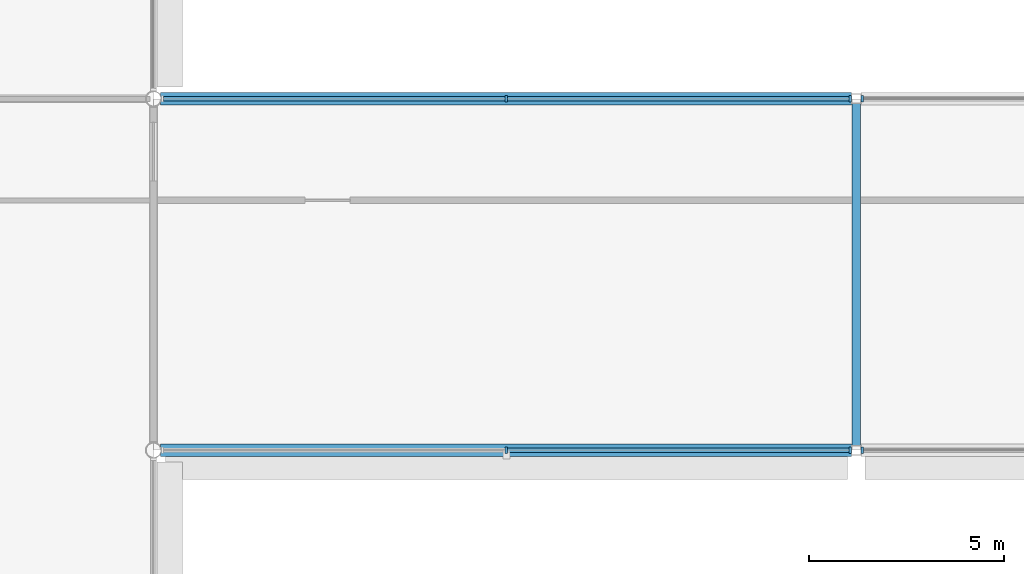
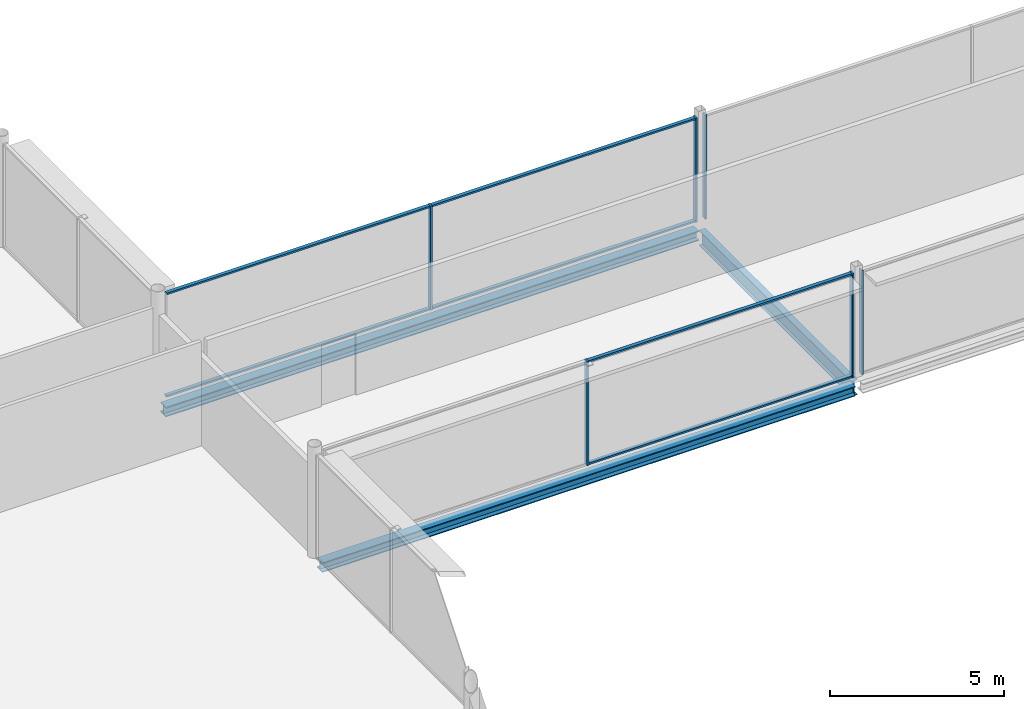
# One storey, part 32 of 96: 12 members, 3 beams, 4 elements without a shape of their own.
"""IFC4 building model written with IfcOpenShell, lengths in metres."""

from ifc_helpers import new_model, si_unit, direction, frame, origin, origin_2d, place, context, subcontext, project, spatial, rectangle, i_section, extrude, material, layer, layer_set, material_profile, profile_set, type_object, element, aggregate, save


model = new_model("IFC4")

# Units and contexts
model_context = context("Model", 3, precision=1e-05, world=origin(), true_north=direction((0.0, 1.0)))
body_context = subcontext(model_context, "Body", "Model", "MODEL_VIEW")
ifc_project = project(units=[si_unit("LENGTHUNIT", "METRE"), si_unit("AREAUNIT", "SQUARE_METRE"), si_unit("VOLUMEUNIT", "CUBIC_METRE"), si_unit("PLANEANGLEUNIT", "RADIAN"), si_unit("MASSUNIT", "GRAM", prefix="KILO")], contexts=[model_context])

# Site, building, storey
site_placement = place(None, origin())
site = spatial("IfcSite", under=ifc_project, at=site_placement, CompositionType="ELEMENT")
building_placement = place(site_placement, origin())
building = spatial("IfcBuilding", under=site, at=building_placement, Name="Kisiwana Market Hall", CompositionType="ELEMENT")
storey_placement = place(building_placement, frame((0.0, 0.0, 25.5)))
storey = spatial("IfcBuildingStorey", under=building, at=storey_placement, Name="L05", CompositionType="ELEMENT", Elevation=25.5)

# Beams
ifc_material_1 = material(Name="Steel S355", Category="steel")
ifc_material_profile_1 = material_profile(ifc_material_1, i_section(OverallWidth=0.209228515625, OverallDepth=0.533203125, WebThickness=0.010009765625, FlangeThickness=0.015625, at=origin_2d()), Name="UB 533x210x92")
ifc_profile_set_1 = profile_set([ifc_material_profile_1], Name="Steel S355")
beam_type_1 = type_object("IfcBeamType", Name="BM-GIRD-UB533", PredefinedType="BEAM", material=ifc_profile_set_1)
beam_placement = place(storey_placement, frame((63.0, 93.12109375, -0.531494140625), z_axis=(0.0, 1.0, 0.0), x_axis=(-1.0, 0.0, 0.0)))
element("IfcBeam", 1, at=beam_placement, inside=storey, type_object=beam_type_1, Name="Primary girder B-1540", PredefinedType="BEAM", context=body_context, shape_type="SweptSolid", body=[
    extrude(i_section(OverallWidth=0.209228515625, OverallDepth=0.533203125, WebThickness=0.010009765625, FlangeThickness=0.015625, at=origin_2d()), origin(), (0.0, 0.0, 1.0), 8.7578125),
])
ifc_material_2 = material(Name="Steel S355", Category="steel")
ifc_material_profile_2 = material_profile(ifc_material_2, i_section(OverallWidth=0.314453125, OverallDepth=0.33984375, WebThickness=0.01904296875, FlangeThickness=0.031494140625, at=origin_2d()), Name="UC 305x305x198")
ifc_profile_set_2 = profile_set([ifc_material_profile_2], Name="Steel S355")
beam_type_2 = type_object("IfcBeamType", Name="BM-SKYBR-CHORD", PredefinedType="BEAM", material=ifc_profile_set_2)
for number, where, z_axis, x_axis, name in (
    (2, (45.182373046875, 93.0, -0.43505859375), (1.0, 0.0, 0.0), (0.0, 1.0, 0.0), "Floor beam B-1641"),
    (3, (45.182373046875, 102.0, -0.43505859375), (1.0, 0.0, 0.0), (0.0, 1.0, 0.0), "Floor beam B-1651"),
):
    element("IfcBeam", number, at=place(storey_placement, frame(where, z_axis=z_axis, x_axis=x_axis)), inside=storey, type_object=beam_type_2, Name=name, PredefinedType="BEAM", context=body_context, shape_type="SweptSolid", body=[
        extrude(i_section(OverallWidth=0.314453125, OverallDepth=0.33984375, WebThickness=0.01904296875, FlangeThickness=0.031494140625, at=origin_2d()), origin(), (0.0, 0.0, 1.0), 17.696533203125),
    ])

# Curtain wall, members
ifc_material_3 = material(Name="Double-glazed solar-control low-E IGU", Category="glass")
ifc_layer = layer(ifc_material_3, 0.159912109375)
ifc_layer_set = layer_set([ifc_layer], Name="CW-ZNA-EW-8200")
curtain_wall_type = type_object("IfcCurtainWallType", Name="CW-ZNA-EW-8200", PredefinedType="USERDEFINED", material=ifc_layer_set)
curtain_wall_1_placement = place(storey_placement, origin())
curtain_wall_1 = element("IfcCurtainWall", 4, at=curtain_wall_1_placement, inside=storey, type_object=curtain_wall_type, Name="Unitised curtain wall CW-144 (L05)", ObjectType="UNITISED CURTAIN WALL", PredefinedType="USERDEFINED")
ifc_material_4 = material(Name="Aluminium alloy 6063-T6", Category="aluminium")
ifc_material_profile_3 = material_profile(ifc_material_4, rectangle(XDim=0.06005859375, YDim=0.159912109375, at=origin_2d()), Name="ALU MULLION 60x160")
ifc_profile_set_3 = profile_set([ifc_material_profile_3], Name="Aluminium alloy 6063-T6")
member_type_1 = type_object("IfcMemberType", Name="CW-MULL-60x160", PredefinedType="MULLION", material=ifc_profile_set_3)
member_1_placement = place(storey_placement, frame((54.0390625, 93.0, 0.0), z_axis=(0.0, 0.0, 1.0), x_axis=(1.0, 0.0, 0.0)))
member_1 = element("IfcMember", 5, at=member_1_placement, type_object=member_type_1, Name="CW-144 mullion 2", PredefinedType="MULLION", context=body_context, shape_type="SweptSolid", body=[
    extrude(rectangle(XDim=0.06005859375, YDim=0.159912109375, at=origin_2d()), origin(), (0.0, 0.0, 1.0), 3.655029296875),
])
member_2_placement = place(storey_placement, frame((62.844970703125, 93.0, 0.0), z_axis=(0.0, 0.0, 1.0), x_axis=(1.0, 0.0, 0.0)))
member_2 = element("IfcMember", 6, at=member_2_placement, type_object=member_type_1, Name="CW-144 mullion 3", PredefinedType="MULLION", context=body_context, shape_type="SweptSolid", body=[
    extrude(rectangle(XDim=0.06005859375, YDim=0.159912109375, at=origin_2d()), origin(), (0.0, 0.0, 1.0), 3.655029296875),
])

# Curtain wall, member
curtain_wall_2_placement = place(storey_placement, origin())
curtain_wall_2 = element("IfcCurtainWall", 7, at=curtain_wall_2_placement, inside=storey, type_object=curtain_wall_type, Name="Unitised curtain wall CW-145 (L05)", ObjectType="UNITISED CURTAIN WALL", PredefinedType="USERDEFINED")
member_3_placement = place(storey_placement, frame((63.155029296875, 93.0, 0.0), z_axis=(0.0, 0.0, 1.0), x_axis=(1.0, 0.0, 0.0)))
member_3 = element("IfcMember", 8, at=member_3_placement, type_object=member_type_1, Name="CW-145 mullion 1", PredefinedType="MULLION", context=body_context, shape_type="SweptSolid", body=[
    extrude(rectangle(XDim=0.06005859375, YDim=0.159912109375, at=origin_2d()), origin(), (0.0, 0.0, 1.0), 3.655029296875),
])
aggregate(curtain_wall_2, [member_3])

# Curtain wall, members
curtain_wall_3_placement = place(storey_placement, origin())
curtain_wall_3 = element("IfcCurtainWall", 9, at=curtain_wall_3_placement, inside=storey, type_object=curtain_wall_type, Name="Unitised curtain wall CW-150 (L05)", ObjectType="UNITISED CURTAIN WALL", PredefinedType="USERDEFINED")
member_4_placement = place(storey_placement, frame((54.0390625, 102.0, 0.0), z_axis=(0.0, 0.0, 1.0), x_axis=(1.0, 0.0, 0.0)))
member_4 = element("IfcMember", 10, at=member_4_placement, type_object=member_type_1, Name="CW-150 mullion 2", PredefinedType="MULLION", context=body_context, shape_type="SweptSolid", body=[
    extrude(rectangle(XDim=0.06005859375, YDim=0.159912109375, at=origin_2d()), origin(), (0.0, 0.0, 1.0), 3.655029296875),
])
member_5_placement = place(storey_placement, frame((62.844970703125, 102.0, 0.0), z_axis=(0.0, 0.0, 1.0), x_axis=(1.0, 0.0, 0.0)))
member_5 = element("IfcMember", 11, at=member_5_placement, type_object=member_type_1, Name="CW-150 mullion 3", PredefinedType="MULLION", context=body_context, shape_type="SweptSolid", body=[
    extrude(rectangle(XDim=0.06005859375, YDim=0.159912109375, at=origin_2d()), origin(), (0.0, 0.0, 1.0), 3.655029296875),
])

# Curtain wall, member
curtain_wall_4_placement = place(storey_placement, origin())
curtain_wall_4 = element("IfcCurtainWall", 12, at=curtain_wall_4_placement, inside=storey, type_object=curtain_wall_type, Name="Unitised curtain wall CW-151 (L05)", ObjectType="UNITISED CURTAIN WALL", PredefinedType="USERDEFINED")
member_6_placement = place(storey_placement, frame((63.155029296875, 102.0, 0.0), z_axis=(0.0, 0.0, 1.0), x_axis=(1.0, 0.0, 0.0)))
member_6 = element("IfcMember", 13, at=member_6_placement, type_object=member_type_1, Name="CW-151 mullion 1", PredefinedType="MULLION", context=body_context, shape_type="SweptSolid", body=[
    extrude(rectangle(XDim=0.06005859375, YDim=0.159912109375, at=origin_2d()), origin(), (0.0, 0.0, 1.0), 3.655029296875),
])
aggregate(curtain_wall_4, [member_6])

# Member
ifc_material_5 = material(Name="Aluminium alloy 6063-T6", Category="aluminium")
ifc_material_profile_4 = material_profile(ifc_material_5, rectangle(XDim=0.1201171875, YDim=0.06005859375, at=origin_2d()), Name="ALU TRANSOM 60x120")
ifc_profile_set_4 = profile_set([ifc_material_profile_4], Name="Aluminium alloy 6063-T6")
member_type_2 = type_object("IfcMemberType", Name="CW-TRAN-60x120", PredefinedType="USERDEFINED", material=ifc_profile_set_4)
member_7_placement = place(storey_placement, frame((54.069091796875, 93.0, 0.030029296875), z_axis=(1.0, 0.0, 0.0), x_axis=(0.0, 1.0, 0.0)))
member_7 = element("IfcMember", 14, at=member_7_placement, type_object=member_type_2, Name="CW-144 transom 2.1", ObjectType="TRANSOM", PredefinedType="USERDEFINED", context=body_context, shape_type="SweptSolid", body=[
    extrude(rectangle(XDim=0.1201171875, YDim=0.06005859375, at=origin_2d()), origin(), (0.0, 0.0, 1.0), 8.745849609375),
])

member_8_placement = place(storey_placement, frame((54.069091796875, 93.0, 3.625), z_axis=(1.0, 0.0, 0.0), x_axis=(0.0, 1.0, 0.0)))
member_8 = element("IfcMember", 15, at=member_8_placement, type_object=member_type_2, Name="CW-144 transom 2.2", ObjectType="TRANSOM", PredefinedType="USERDEFINED", context=body_context, shape_type="SweptSolid", body=[
    extrude(rectangle(XDim=0.1201171875, YDim=0.06005859375, at=origin_2d()), origin(), (0.0, 0.0, 1.0), 8.745849609375),
])

aggregate(curtain_wall_1, [member_1, member_2, member_7, member_8])

member_9_placement = place(storey_placement, frame((45.26318359375, 102.0, 0.030029296875), z_axis=(1.0, 0.0, 0.0), x_axis=(0.0, 1.0, 0.0)))
member_9 = element("IfcMember", 16, at=member_9_placement, type_object=member_type_2, Name="CW-150 transom 1.1", ObjectType="TRANSOM", PredefinedType="USERDEFINED", context=body_context, shape_type="SweptSolid", body=[
    extrude(rectangle(XDim=0.1201171875, YDim=0.06005859375, at=origin_2d()), origin(), (0.0, 0.0, 1.0), 8.745849609375),
])

member_10_placement = place(storey_placement, frame((45.26318359375, 102.0, 3.625), z_axis=(1.0, 0.0, 0.0), x_axis=(0.0, 1.0, 0.0)))
member_10 = element("IfcMember", 17, at=member_10_placement, type_object=member_type_2, Name="CW-150 transom 1.2", ObjectType="TRANSOM", PredefinedType="USERDEFINED", context=body_context, shape_type="SweptSolid", body=[
    extrude(rectangle(XDim=0.1201171875, YDim=0.06005859375, at=origin_2d()), origin(), (0.0, 0.0, 1.0), 8.745849609375),
])

member_11_placement = place(storey_placement, frame((54.069091796875, 102.0, 0.030029296875), z_axis=(1.0, 0.0, 0.0), x_axis=(0.0, 1.0, 0.0)))
member_11 = element("IfcMember", 18, at=member_11_placement, type_object=member_type_2, Name="CW-150 transom 2.1", ObjectType="TRANSOM", PredefinedType="USERDEFINED", context=body_context, shape_type="SweptSolid", body=[
    extrude(rectangle(XDim=0.1201171875, YDim=0.06005859375, at=origin_2d()), origin(), (0.0, 0.0, 1.0), 8.745849609375),
])

member_12_placement = place(storey_placement, frame((54.069091796875, 102.0, 3.625), z_axis=(1.0, 0.0, 0.0), x_axis=(0.0, 1.0, 0.0)))
member_12 = element("IfcMember", 19, at=member_12_placement, type_object=member_type_2, Name="CW-150 transom 2.2", ObjectType="TRANSOM", PredefinedType="USERDEFINED", context=body_context, shape_type="SweptSolid", body=[
    extrude(rectangle(XDim=0.1201171875, YDim=0.06005859375, at=origin_2d()), origin(), (0.0, 0.0, 1.0), 8.745849609375),
])

aggregate(curtain_wall_3, [member_4, member_5, member_9, member_10, member_11, member_12])

save(model, "model.ifc")
